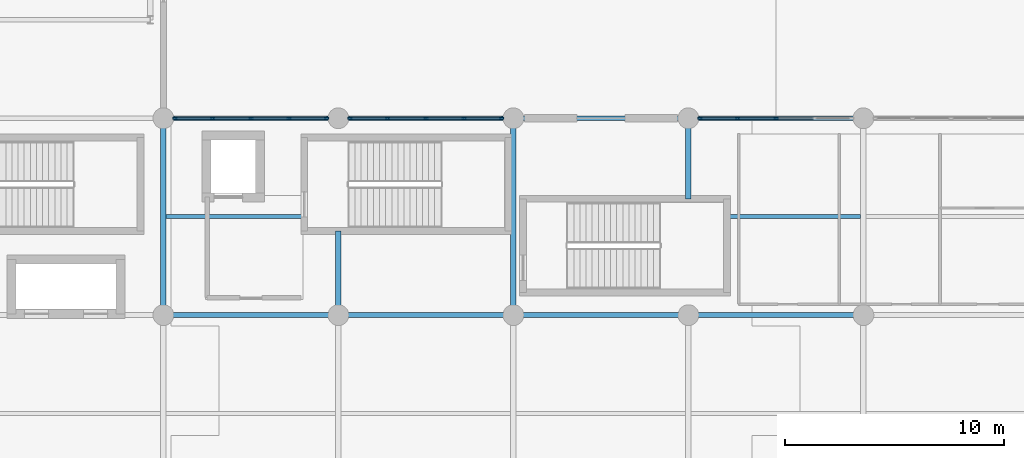
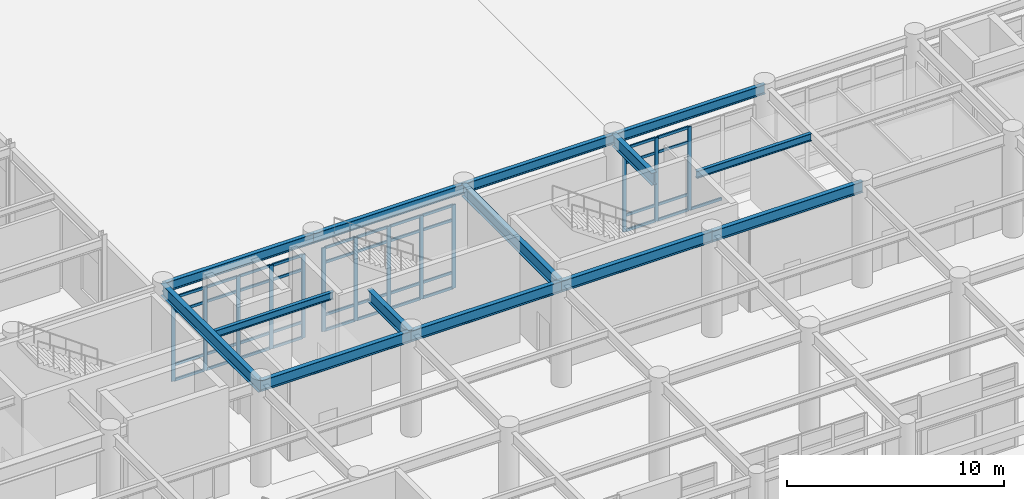
# One storey, part 10 of 49: 54 members, 14 beams, 3 elements without a shape of their own.
"""IFC4 building model written with IfcOpenShell, lengths in metres."""

from ifc_helpers import new_model, si_unit, direction, frame, origin, origin_2d, place, context, subcontext, project, spatial, rectangle, i_section, extrude, material, layer, layer_set, material_profile, profile_set, type_object, element, aggregate, save


model = new_model("IFC4")

# Units and contexts
model_context = context("Model", 3, precision=1e-05, world=origin(), true_north=direction((0.0, 1.0)))
body_context = subcontext(model_context, "Body", "Model", "MODEL_VIEW")
ifc_project = project(units=[si_unit("LENGTHUNIT", "METRE"), si_unit("AREAUNIT", "SQUARE_METRE"), si_unit("VOLUMEUNIT", "CUBIC_METRE"), si_unit("PLANEANGLEUNIT", "RADIAN"), si_unit("MASSUNIT", "GRAM", prefix="KILO")], contexts=[model_context])

# Site, building, storey
site_placement = place(None, origin())
site = spatial("IfcSite", under=ifc_project, at=site_placement, CompositionType="ELEMENT")
building_placement = place(site_placement, origin())
building = spatial("IfcBuilding", under=site, at=building_placement, Name="Tlacozan Convention Centre", CompositionType="ELEMENT")
storey_placement = place(building_placement, origin())
storey = spatial("IfcBuildingStorey", under=building, at=storey_placement, Name="L00", CompositionType="ELEMENT", Elevation=0.0)

# Curtain wall, members
ifc_material_1 = material(Name="Dark Bronze Anodised Aluminium", Category="aluminium")
ifc_layer = layer(ifc_material_1, 0.199951171875)
ifc_layer_set = layer_set([ifc_layer], Name="Dark Bronze Anodised Aluminium")
curtain_wall_type = type_object("IfcCurtainWallType", Name="Unitised Courtyard Cloister L00 CW07", PredefinedType="NOTDEFINED", material=ifc_layer_set)
curtain_wall_1_placement = place(storey_placement, origin())
curtain_wall_1 = element("IfcCurtainWall", 1, at=curtain_wall_1_placement, inside=storey, type_object=curtain_wall_type, Name="L00 CW-07 Run 50", PredefinedType="NOTDEFINED")
ifc_material_profile_1 = material_profile(ifc_material_1, rectangle(XDim=0.074951171875, YDim=0.199951171875, at=origin_2d()), Name="ALU 75x200")
ifc_profile_set_1 = profile_set([ifc_material_profile_1], Name="Dark Bronze Anodised Aluminium")
member_type_1 = type_object("IfcMemberType", Name="Curtain Wall Heavy Mullion 75x200", PredefinedType="MULLION", material=ifc_profile_set_1)
member_1_placement = place(storey_placement, frame((32.53759765625, 27.0, 0.0), z_axis=(0.0, 0.0, 1.0), x_axis=(0.0, 1.0, 0.0)))
member_1 = element("IfcMember", 2, at=member_1_placement, type_object=member_type_1, Name="CW-07 mullion 1", PredefinedType="MULLION", context=body_context, shape_type="SweptSolid", body=[
    extrude(rectangle(XDim=0.074951171875, YDim=0.199951171875, at=origin_2d()), origin(), (0.0, 0.0, 1.0), 4.699951171875),
])
member_2_placement = place(storey_placement, frame((34.25, 27.0, 0.0), z_axis=(0.0, 0.0, 1.0), x_axis=(0.0, 1.0, 0.0)))
member_2 = element("IfcMember", 3, at=member_2_placement, type_object=member_type_1, Name="CW-07 mullion 2", PredefinedType="MULLION", context=body_context, shape_type="SweptSolid", body=[
    extrude(rectangle(XDim=0.074951171875, YDim=0.199951171875, at=origin_2d()), origin(), (0.0, 0.0, 1.0), 4.699951171875),
])
member_3_placement = place(storey_placement, frame((36.0, 27.0, 0.0), z_axis=(0.0, 0.0, 1.0), x_axis=(0.0, 1.0, 0.0)))
member_3 = element("IfcMember", 4, at=member_3_placement, type_object=member_type_1, Name="CW-07 mullion 3", PredefinedType="MULLION", context=body_context, shape_type="SweptSolid", body=[
    extrude(rectangle(XDim=0.074951171875, YDim=0.199951171875, at=origin_2d()), origin(), (0.0, 0.0, 1.0), 4.699951171875),
])
member_4_placement = place(storey_placement, frame((37.75, 27.0, 0.0), z_axis=(0.0, 0.0, 1.0), x_axis=(0.0, 1.0, 0.0)))
member_4 = element("IfcMember", 5, at=member_4_placement, type_object=member_type_1, Name="CW-07 mullion 4", PredefinedType="MULLION", context=body_context, shape_type="SweptSolid", body=[
    extrude(rectangle(XDim=0.074951171875, YDim=0.199951171875, at=origin_2d()), origin(), (0.0, 0.0, 1.0), 4.699951171875),
])
member_5_placement = place(storey_placement, frame((39.46240234375, 27.0, 0.0), z_axis=(0.0, 0.0, 1.0), x_axis=(0.0, 1.0, 0.0)))
member_5 = element("IfcMember", 6, at=member_5_placement, type_object=member_type_1, Name="CW-07 mullion 5", PredefinedType="MULLION", context=body_context, shape_type="SweptSolid", body=[
    extrude(rectangle(XDim=0.074951171875, YDim=0.199951171875, at=origin_2d()), origin(), (0.0, 0.0, 1.0), 4.699951171875),
])

curtain_wall_2_placement = place(storey_placement, origin())
curtain_wall_2 = element("IfcCurtainWall", 7, at=curtain_wall_2_placement, inside=storey, type_object=curtain_wall_type, Name="L00 CW-07 Run 51", PredefinedType="NOTDEFINED")
member_6_placement = place(storey_placement, frame((40.53759765625, 27.0, 0.0), z_axis=(0.0, 0.0, 1.0), x_axis=(0.0, 1.0, 0.0)))
member_6 = element("IfcMember", 8, at=member_6_placement, type_object=member_type_1, Name="CW-07 mullion 1", PredefinedType="MULLION", context=body_context, shape_type="SweptSolid", body=[
    extrude(rectangle(XDim=0.074951171875, YDim=0.199951171875, at=origin_2d()), origin(), (0.0, 0.0, 1.0), 4.699951171875),
])
member_7_placement = place(storey_placement, frame((42.25, 27.0, 0.0), z_axis=(0.0, 0.0, 1.0), x_axis=(0.0, 1.0, 0.0)))
member_7 = element("IfcMember", 9, at=member_7_placement, type_object=member_type_1, Name="CW-07 mullion 2", PredefinedType="MULLION", context=body_context, shape_type="SweptSolid", body=[
    extrude(rectangle(XDim=0.074951171875, YDim=0.199951171875, at=origin_2d()), origin(), (0.0, 0.0, 1.0), 4.699951171875),
])
member_8_placement = place(storey_placement, frame((44.0, 27.0, 0.0), z_axis=(0.0, 0.0, 1.0), x_axis=(0.0, 1.0, 0.0)))
member_8 = element("IfcMember", 10, at=member_8_placement, type_object=member_type_1, Name="CW-07 mullion 3", PredefinedType="MULLION", context=body_context, shape_type="SweptSolid", body=[
    extrude(rectangle(XDim=0.074951171875, YDim=0.199951171875, at=origin_2d()), origin(), (0.0, 0.0, 1.0), 4.699951171875),
])
member_9_placement = place(storey_placement, frame((45.75, 27.0, 0.0), z_axis=(0.0, 0.0, 1.0), x_axis=(0.0, 1.0, 0.0)))
member_9 = element("IfcMember", 11, at=member_9_placement, type_object=member_type_1, Name="CW-07 mullion 4", PredefinedType="MULLION", context=body_context, shape_type="SweptSolid", body=[
    extrude(rectangle(XDim=0.074951171875, YDim=0.199951171875, at=origin_2d()), origin(), (0.0, 0.0, 1.0), 4.699951171875),
])
member_10_placement = place(storey_placement, frame((47.46240234375, 27.0, 0.0), z_axis=(0.0, 0.0, 1.0), x_axis=(0.0, 1.0, 0.0)))
member_10 = element("IfcMember", 12, at=member_10_placement, type_object=member_type_1, Name="CW-07 mullion 5", PredefinedType="MULLION", context=body_context, shape_type="SweptSolid", body=[
    extrude(rectangle(XDim=0.074951171875, YDim=0.199951171875, at=origin_2d()), origin(), (0.0, 0.0, 1.0), 4.699951171875),
])

curtain_wall_3_placement = place(storey_placement, origin())
curtain_wall_3 = element("IfcCurtainWall", 13, at=curtain_wall_3_placement, inside=storey, type_object=curtain_wall_type, Name="L00 CW-07 Run 52", PredefinedType="NOTDEFINED")
member_11_placement = place(storey_placement, frame((56.53759765625, 27.0, 0.0), z_axis=(0.0, 0.0, 1.0), x_axis=(0.0, 1.0, 0.0)))
member_11 = element("IfcMember", 14, at=member_11_placement, type_object=member_type_1, Name="CW-07 mullion 1", PredefinedType="MULLION", context=body_context, shape_type="SweptSolid", body=[
    extrude(rectangle(XDim=0.074951171875, YDim=0.199951171875, at=origin_2d()), origin(), (0.0, 0.0, 1.0), 4.699951171875),
])
member_12_placement = place(storey_placement, frame((58.25, 27.0, 0.0), z_axis=(0.0, 0.0, 1.0), x_axis=(0.0, 1.0, 0.0)))
member_12 = element("IfcMember", 15, at=member_12_placement, type_object=member_type_1, Name="CW-07 mullion 2", PredefinedType="MULLION", context=body_context, shape_type="SweptSolid", body=[
    extrude(rectangle(XDim=0.074951171875, YDim=0.199951171875, at=origin_2d()), origin(), (0.0, 0.0, 1.0), 4.699951171875),
])
member_13_placement = place(storey_placement, frame((60.0, 27.0, 0.0), z_axis=(0.0, 0.0, 1.0), x_axis=(0.0, 1.0, 0.0)))
member_13 = element("IfcMember", 16, at=member_13_placement, type_object=member_type_1, Name="CW-07 mullion 3", PredefinedType="MULLION", context=body_context, shape_type="SweptSolid", body=[
    extrude(rectangle(XDim=0.074951171875, YDim=0.199951171875, at=origin_2d()), origin(), (0.0, 0.0, 1.0), 4.699951171875),
])

# Member
ifc_material_profile_2 = material_profile(ifc_material_1, rectangle(XDim=0.074951171875, YDim=0.14990234375, at=origin_2d()), Name="ALU 75x150")
ifc_profile_set_2 = profile_set([ifc_material_profile_2], Name="Dark Bronze Anodised Aluminium")
member_type_2 = type_object("IfcMemberType", Name="Curtain Wall Heavy Transom 75x150", PredefinedType="USERDEFINED", material=ifc_profile_set_2)
member_14_placement = place(storey_placement, frame((32.574951171875, 27.0, 0.03759765625), z_axis=(1.0, 0.0, 0.0), x_axis=(0.0, 1.0, 0.0)))
member_14 = element("IfcMember", 17, at=member_14_placement, type_object=member_type_2, Name="CW-07 transom 1.1", ObjectType="TRANSOM", PredefinedType="USERDEFINED", context=body_context, shape_type="SweptSolid", body=[
    extrude(rectangle(XDim=0.074951171875, YDim=0.14990234375, at=origin_2d()), origin(), (0.0, 0.0, 1.0), 1.637451171875),
])

member_15_placement = place(storey_placement, frame((32.574951171875, 27.0, 0.89990234375), z_axis=(1.0, 0.0, 0.0), x_axis=(0.0, 1.0, 0.0)))
member_15 = element("IfcMember", 18, at=member_15_placement, type_object=member_type_2, Name="CW-07 transom 1.2", ObjectType="TRANSOM", PredefinedType="USERDEFINED", context=body_context, shape_type="SweptSolid", body=[
    extrude(rectangle(XDim=0.074951171875, YDim=0.14990234375, at=origin_2d()), origin(), (0.0, 0.0, 1.0), 1.637451171875),
])

member_16_placement = place(storey_placement, frame((32.574951171875, 27.0, 3.85009765625), z_axis=(1.0, 0.0, 0.0), x_axis=(0.0, 1.0, 0.0)))
member_16 = element("IfcMember", 19, at=member_16_placement, type_object=member_type_2, Name="CW-07 transom 1.3", ObjectType="TRANSOM", PredefinedType="USERDEFINED", context=body_context, shape_type="SweptSolid", body=[
    extrude(rectangle(XDim=0.074951171875, YDim=0.14990234375, at=origin_2d()), origin(), (0.0, 0.0, 1.0), 1.637451171875),
])

member_17_placement = place(storey_placement, frame((32.574951171875, 27.0, 4.66259765625), z_axis=(1.0, 0.0, 0.0), x_axis=(0.0, 1.0, 0.0)))
member_17 = element("IfcMember", 20, at=member_17_placement, type_object=member_type_2, Name="CW-07 transom 1.4", ObjectType="TRANSOM", PredefinedType="USERDEFINED", context=body_context, shape_type="SweptSolid", body=[
    extrude(rectangle(XDim=0.074951171875, YDim=0.14990234375, at=origin_2d()), origin(), (0.0, 0.0, 1.0), 1.637451171875),
])

member_18_placement = place(storey_placement, frame((34.28759765625, 27.0, 0.03759765625), z_axis=(1.0, 0.0, 0.0), x_axis=(0.0, 1.0, 0.0)))
member_18 = element("IfcMember", 21, at=member_18_placement, type_object=member_type_2, Name="CW-07 transom 2.1", ObjectType="TRANSOM", PredefinedType="USERDEFINED", context=body_context, shape_type="SweptSolid", body=[
    extrude(rectangle(XDim=0.074951171875, YDim=0.14990234375, at=origin_2d()), origin(), (0.0, 0.0, 1.0), 1.6748046875),
])

member_19_placement = place(storey_placement, frame((34.28759765625, 27.0, 0.89990234375), z_axis=(1.0, 0.0, 0.0), x_axis=(0.0, 1.0, 0.0)))
member_19 = element("IfcMember", 22, at=member_19_placement, type_object=member_type_2, Name="CW-07 transom 2.2", ObjectType="TRANSOM", PredefinedType="USERDEFINED", context=body_context, shape_type="SweptSolid", body=[
    extrude(rectangle(XDim=0.074951171875, YDim=0.14990234375, at=origin_2d()), origin(), (0.0, 0.0, 1.0), 1.6748046875),
])

member_20_placement = place(storey_placement, frame((34.28759765625, 27.0, 3.85009765625), z_axis=(1.0, 0.0, 0.0), x_axis=(0.0, 1.0, 0.0)))
member_20 = element("IfcMember", 23, at=member_20_placement, type_object=member_type_2, Name="CW-07 transom 2.3", ObjectType="TRANSOM", PredefinedType="USERDEFINED", context=body_context, shape_type="SweptSolid", body=[
    extrude(rectangle(XDim=0.074951171875, YDim=0.14990234375, at=origin_2d()), origin(), (0.0, 0.0, 1.0), 1.6748046875),
])

member_21_placement = place(storey_placement, frame((34.28759765625, 27.0, 4.66259765625), z_axis=(1.0, 0.0, 0.0), x_axis=(0.0, 1.0, 0.0)))
member_21 = element("IfcMember", 24, at=member_21_placement, type_object=member_type_2, Name="CW-07 transom 2.4", ObjectType="TRANSOM", PredefinedType="USERDEFINED", context=body_context, shape_type="SweptSolid", body=[
    extrude(rectangle(XDim=0.074951171875, YDim=0.14990234375, at=origin_2d()), origin(), (0.0, 0.0, 1.0), 1.6748046875),
])

member_22_placement = place(storey_placement, frame((36.03759765625, 27.0, 0.03759765625), z_axis=(1.0, 0.0, 0.0), x_axis=(0.0, 1.0, 0.0)))
member_22 = element("IfcMember", 25, at=member_22_placement, type_object=member_type_2, Name="CW-07 transom 3.1", ObjectType="TRANSOM", PredefinedType="USERDEFINED", context=body_context, shape_type="SweptSolid", body=[
    extrude(rectangle(XDim=0.074951171875, YDim=0.14990234375, at=origin_2d()), origin(), (0.0, 0.0, 1.0), 1.6748046875),
])

member_23_placement = place(storey_placement, frame((36.03759765625, 27.0, 0.89990234375), z_axis=(1.0, 0.0, 0.0), x_axis=(0.0, 1.0, 0.0)))
member_23 = element("IfcMember", 26, at=member_23_placement, type_object=member_type_2, Name="CW-07 transom 3.2", ObjectType="TRANSOM", PredefinedType="USERDEFINED", context=body_context, shape_type="SweptSolid", body=[
    extrude(rectangle(XDim=0.074951171875, YDim=0.14990234375, at=origin_2d()), origin(), (0.0, 0.0, 1.0), 1.6748046875),
])

member_24_placement = place(storey_placement, frame((36.03759765625, 27.0, 3.85009765625), z_axis=(1.0, 0.0, 0.0), x_axis=(0.0, 1.0, 0.0)))
member_24 = element("IfcMember", 27, at=member_24_placement, type_object=member_type_2, Name="CW-07 transom 3.3", ObjectType="TRANSOM", PredefinedType="USERDEFINED", context=body_context, shape_type="SweptSolid", body=[
    extrude(rectangle(XDim=0.074951171875, YDim=0.14990234375, at=origin_2d()), origin(), (0.0, 0.0, 1.0), 1.6748046875),
])

member_25_placement = place(storey_placement, frame((36.03759765625, 27.0, 4.66259765625), z_axis=(1.0, 0.0, 0.0), x_axis=(0.0, 1.0, 0.0)))
member_25 = element("IfcMember", 28, at=member_25_placement, type_object=member_type_2, Name="CW-07 transom 3.4", ObjectType="TRANSOM", PredefinedType="USERDEFINED", context=body_context, shape_type="SweptSolid", body=[
    extrude(rectangle(XDim=0.074951171875, YDim=0.14990234375, at=origin_2d()), origin(), (0.0, 0.0, 1.0), 1.6748046875),
])

member_26_placement = place(storey_placement, frame((37.78759765625, 27.0, 0.03759765625), z_axis=(1.0, 0.0, 0.0), x_axis=(0.0, 1.0, 0.0)))
member_26 = element("IfcMember", 29, at=member_26_placement, type_object=member_type_2, Name="CW-07 transom 4.1", ObjectType="TRANSOM", PredefinedType="USERDEFINED", context=body_context, shape_type="SweptSolid", body=[
    extrude(rectangle(XDim=0.074951171875, YDim=0.14990234375, at=origin_2d()), origin(), (0.0, 0.0, 1.0), 1.637451171875),
])

member_27_placement = place(storey_placement, frame((37.78759765625, 27.0, 0.89990234375), z_axis=(1.0, 0.0, 0.0), x_axis=(0.0, 1.0, 0.0)))
member_27 = element("IfcMember", 30, at=member_27_placement, type_object=member_type_2, Name="CW-07 transom 4.2", ObjectType="TRANSOM", PredefinedType="USERDEFINED", context=body_context, shape_type="SweptSolid", body=[
    extrude(rectangle(XDim=0.074951171875, YDim=0.14990234375, at=origin_2d()), origin(), (0.0, 0.0, 1.0), 1.637451171875),
])

member_28_placement = place(storey_placement, frame((37.78759765625, 27.0, 3.85009765625), z_axis=(1.0, 0.0, 0.0), x_axis=(0.0, 1.0, 0.0)))
member_28 = element("IfcMember", 31, at=member_28_placement, type_object=member_type_2, Name="CW-07 transom 4.3", ObjectType="TRANSOM", PredefinedType="USERDEFINED", context=body_context, shape_type="SweptSolid", body=[
    extrude(rectangle(XDim=0.074951171875, YDim=0.14990234375, at=origin_2d()), origin(), (0.0, 0.0, 1.0), 1.637451171875),
])

member_29_placement = place(storey_placement, frame((37.78759765625, 27.0, 4.66259765625), z_axis=(1.0, 0.0, 0.0), x_axis=(0.0, 1.0, 0.0)))
member_29 = element("IfcMember", 32, at=member_29_placement, type_object=member_type_2, Name="CW-07 transom 4.4", ObjectType="TRANSOM", PredefinedType="USERDEFINED", context=body_context, shape_type="SweptSolid", body=[
    extrude(rectangle(XDim=0.074951171875, YDim=0.14990234375, at=origin_2d()), origin(), (0.0, 0.0, 1.0), 1.637451171875),
])

aggregate(curtain_wall_1, [member_1, member_2, member_3, member_4, member_5, member_14, member_15, member_16, member_17, member_18, member_19, member_20, member_21, member_22, member_23, member_24, member_25, member_26, member_27, member_28, member_29])

member_30_placement = place(storey_placement, frame((40.574951171875, 27.0, 0.03759765625), z_axis=(1.0, 0.0, 0.0), x_axis=(0.0, 1.0, 0.0)))
member_30 = element("IfcMember", 33, at=member_30_placement, type_object=member_type_2, Name="CW-07 transom 1.1", ObjectType="TRANSOM", PredefinedType="USERDEFINED", context=body_context, shape_type="SweptSolid", body=[
    extrude(rectangle(XDim=0.074951171875, YDim=0.14990234375, at=origin_2d()), origin(), (0.0, 0.0, 1.0), 1.637451171875),
])

member_31_placement = place(storey_placement, frame((40.574951171875, 27.0, 0.89990234375), z_axis=(1.0, 0.0, 0.0), x_axis=(0.0, 1.0, 0.0)))
member_31 = element("IfcMember", 34, at=member_31_placement, type_object=member_type_2, Name="CW-07 transom 1.2", ObjectType="TRANSOM", PredefinedType="USERDEFINED", context=body_context, shape_type="SweptSolid", body=[
    extrude(rectangle(XDim=0.074951171875, YDim=0.14990234375, at=origin_2d()), origin(), (0.0, 0.0, 1.0), 1.637451171875),
])

member_32_placement = place(storey_placement, frame((40.574951171875, 27.0, 3.85009765625), z_axis=(1.0, 0.0, 0.0), x_axis=(0.0, 1.0, 0.0)))
member_32 = element("IfcMember", 35, at=member_32_placement, type_object=member_type_2, Name="CW-07 transom 1.3", ObjectType="TRANSOM", PredefinedType="USERDEFINED", context=body_context, shape_type="SweptSolid", body=[
    extrude(rectangle(XDim=0.074951171875, YDim=0.14990234375, at=origin_2d()), origin(), (0.0, 0.0, 1.0), 1.637451171875),
])

member_33_placement = place(storey_placement, frame((40.574951171875, 27.0, 4.66259765625), z_axis=(1.0, 0.0, 0.0), x_axis=(0.0, 1.0, 0.0)))
member_33 = element("IfcMember", 36, at=member_33_placement, type_object=member_type_2, Name="CW-07 transom 1.4", ObjectType="TRANSOM", PredefinedType="USERDEFINED", context=body_context, shape_type="SweptSolid", body=[
    extrude(rectangle(XDim=0.074951171875, YDim=0.14990234375, at=origin_2d()), origin(), (0.0, 0.0, 1.0), 1.637451171875),
])

member_34_placement = place(storey_placement, frame((42.28759765625, 27.0, 0.03759765625), z_axis=(1.0, 0.0, 0.0), x_axis=(0.0, 1.0, 0.0)))
member_34 = element("IfcMember", 37, at=member_34_placement, type_object=member_type_2, Name="CW-07 transom 2.1", ObjectType="TRANSOM", PredefinedType="USERDEFINED", context=body_context, shape_type="SweptSolid", body=[
    extrude(rectangle(XDim=0.074951171875, YDim=0.14990234375, at=origin_2d()), origin(), (0.0, 0.0, 1.0), 1.6748046875),
])

member_35_placement = place(storey_placement, frame((42.28759765625, 27.0, 0.89990234375), z_axis=(1.0, 0.0, 0.0), x_axis=(0.0, 1.0, 0.0)))
member_35 = element("IfcMember", 38, at=member_35_placement, type_object=member_type_2, Name="CW-07 transom 2.2", ObjectType="TRANSOM", PredefinedType="USERDEFINED", context=body_context, shape_type="SweptSolid", body=[
    extrude(rectangle(XDim=0.074951171875, YDim=0.14990234375, at=origin_2d()), origin(), (0.0, 0.0, 1.0), 1.6748046875),
])

member_36_placement = place(storey_placement, frame((42.28759765625, 27.0, 3.85009765625), z_axis=(1.0, 0.0, 0.0), x_axis=(0.0, 1.0, 0.0)))
member_36 = element("IfcMember", 39, at=member_36_placement, type_object=member_type_2, Name="CW-07 transom 2.3", ObjectType="TRANSOM", PredefinedType="USERDEFINED", context=body_context, shape_type="SweptSolid", body=[
    extrude(rectangle(XDim=0.074951171875, YDim=0.14990234375, at=origin_2d()), origin(), (0.0, 0.0, 1.0), 1.6748046875),
])

member_37_placement = place(storey_placement, frame((42.28759765625, 27.0, 4.66259765625), z_axis=(1.0, 0.0, 0.0), x_axis=(0.0, 1.0, 0.0)))
member_37 = element("IfcMember", 40, at=member_37_placement, type_object=member_type_2, Name="CW-07 transom 2.4", ObjectType="TRANSOM", PredefinedType="USERDEFINED", context=body_context, shape_type="SweptSolid", body=[
    extrude(rectangle(XDim=0.074951171875, YDim=0.14990234375, at=origin_2d()), origin(), (0.0, 0.0, 1.0), 1.6748046875),
])

member_38_placement = place(storey_placement, frame((44.03759765625, 27.0, 0.03759765625), z_axis=(1.0, 0.0, 0.0), x_axis=(0.0, 1.0, 0.0)))
member_38 = element("IfcMember", 41, at=member_38_placement, type_object=member_type_2, Name="CW-07 transom 3.1", ObjectType="TRANSOM", PredefinedType="USERDEFINED", context=body_context, shape_type="SweptSolid", body=[
    extrude(rectangle(XDim=0.074951171875, YDim=0.14990234375, at=origin_2d()), origin(), (0.0, 0.0, 1.0), 1.6748046875),
])

member_39_placement = place(storey_placement, frame((44.03759765625, 27.0, 0.89990234375), z_axis=(1.0, 0.0, 0.0), x_axis=(0.0, 1.0, 0.0)))
member_39 = element("IfcMember", 42, at=member_39_placement, type_object=member_type_2, Name="CW-07 transom 3.2", ObjectType="TRANSOM", PredefinedType="USERDEFINED", context=body_context, shape_type="SweptSolid", body=[
    extrude(rectangle(XDim=0.074951171875, YDim=0.14990234375, at=origin_2d()), origin(), (0.0, 0.0, 1.0), 1.6748046875),
])

member_40_placement = place(storey_placement, frame((44.03759765625, 27.0, 3.85009765625), z_axis=(1.0, 0.0, 0.0), x_axis=(0.0, 1.0, 0.0)))
member_40 = element("IfcMember", 43, at=member_40_placement, type_object=member_type_2, Name="CW-07 transom 3.3", ObjectType="TRANSOM", PredefinedType="USERDEFINED", context=body_context, shape_type="SweptSolid", body=[
    extrude(rectangle(XDim=0.074951171875, YDim=0.14990234375, at=origin_2d()), origin(), (0.0, 0.0, 1.0), 1.6748046875),
])

member_41_placement = place(storey_placement, frame((44.03759765625, 27.0, 4.66259765625), z_axis=(1.0, 0.0, 0.0), x_axis=(0.0, 1.0, 0.0)))
member_41 = element("IfcMember", 44, at=member_41_placement, type_object=member_type_2, Name="CW-07 transom 3.4", ObjectType="TRANSOM", PredefinedType="USERDEFINED", context=body_context, shape_type="SweptSolid", body=[
    extrude(rectangle(XDim=0.074951171875, YDim=0.14990234375, at=origin_2d()), origin(), (0.0, 0.0, 1.0), 1.6748046875),
])

member_42_placement = place(storey_placement, frame((45.78759765625, 27.0, 0.03759765625), z_axis=(1.0, 0.0, 0.0), x_axis=(0.0, 1.0, 0.0)))
member_42 = element("IfcMember", 45, at=member_42_placement, type_object=member_type_2, Name="CW-07 transom 4.1", ObjectType="TRANSOM", PredefinedType="USERDEFINED", context=body_context, shape_type="SweptSolid", body=[
    extrude(rectangle(XDim=0.074951171875, YDim=0.14990234375, at=origin_2d()), origin(), (0.0, 0.0, 1.0), 1.637451171875),
])

member_43_placement = place(storey_placement, frame((45.78759765625, 27.0, 0.89990234375), z_axis=(1.0, 0.0, 0.0), x_axis=(0.0, 1.0, 0.0)))
member_43 = element("IfcMember", 46, at=member_43_placement, type_object=member_type_2, Name="CW-07 transom 4.2", ObjectType="TRANSOM", PredefinedType="USERDEFINED", context=body_context, shape_type="SweptSolid", body=[
    extrude(rectangle(XDim=0.074951171875, YDim=0.14990234375, at=origin_2d()), origin(), (0.0, 0.0, 1.0), 1.637451171875),
])

member_44_placement = place(storey_placement, frame((45.78759765625, 27.0, 3.85009765625), z_axis=(1.0, 0.0, 0.0), x_axis=(0.0, 1.0, 0.0)))
member_44 = element("IfcMember", 47, at=member_44_placement, type_object=member_type_2, Name="CW-07 transom 4.3", ObjectType="TRANSOM", PredefinedType="USERDEFINED", context=body_context, shape_type="SweptSolid", body=[
    extrude(rectangle(XDim=0.074951171875, YDim=0.14990234375, at=origin_2d()), origin(), (0.0, 0.0, 1.0), 1.637451171875),
])

member_45_placement = place(storey_placement, frame((45.78759765625, 27.0, 4.66259765625), z_axis=(1.0, 0.0, 0.0), x_axis=(0.0, 1.0, 0.0)))
member_45 = element("IfcMember", 48, at=member_45_placement, type_object=member_type_2, Name="CW-07 transom 4.4", ObjectType="TRANSOM", PredefinedType="USERDEFINED", context=body_context, shape_type="SweptSolid", body=[
    extrude(rectangle(XDim=0.074951171875, YDim=0.14990234375, at=origin_2d()), origin(), (0.0, 0.0, 1.0), 1.637451171875),
])

aggregate(curtain_wall_2, [member_6, member_7, member_8, member_9, member_10, member_30, member_31, member_32, member_33, member_34, member_35, member_36, member_37, member_38, member_39, member_40, member_41, member_42, member_43, member_44, member_45])

member_46_placement = place(storey_placement, frame((56.574951171875, 27.0, 0.03759765625), z_axis=(1.0, 0.0, 0.0), x_axis=(0.0, 1.0, 0.0)))
member_46 = element("IfcMember", 49, at=member_46_placement, type_object=member_type_2, Name="CW-07 transom 1.1", ObjectType="TRANSOM", PredefinedType="USERDEFINED", context=body_context, shape_type="SweptSolid", body=[
    extrude(rectangle(XDim=0.074951171875, YDim=0.14990234375, at=origin_2d()), origin(), (0.0, 0.0, 1.0), 1.637451171875),
])

member_47_placement = place(storey_placement, frame((56.574951171875, 27.0, 0.89990234375), z_axis=(1.0, 0.0, 0.0), x_axis=(0.0, 1.0, 0.0)))
member_47 = element("IfcMember", 50, at=member_47_placement, type_object=member_type_2, Name="CW-07 transom 1.2", ObjectType="TRANSOM", PredefinedType="USERDEFINED", context=body_context, shape_type="SweptSolid", body=[
    extrude(rectangle(XDim=0.074951171875, YDim=0.14990234375, at=origin_2d()), origin(), (0.0, 0.0, 1.0), 1.637451171875),
])

member_48_placement = place(storey_placement, frame((56.574951171875, 27.0, 3.85009765625), z_axis=(1.0, 0.0, 0.0), x_axis=(0.0, 1.0, 0.0)))
member_48 = element("IfcMember", 51, at=member_48_placement, type_object=member_type_2, Name="CW-07 transom 1.3", ObjectType="TRANSOM", PredefinedType="USERDEFINED", context=body_context, shape_type="SweptSolid", body=[
    extrude(rectangle(XDim=0.074951171875, YDim=0.14990234375, at=origin_2d()), origin(), (0.0, 0.0, 1.0), 1.637451171875),
])

member_49_placement = place(storey_placement, frame((56.574951171875, 27.0, 4.66259765625), z_axis=(1.0, 0.0, 0.0), x_axis=(0.0, 1.0, 0.0)))
member_49 = element("IfcMember", 52, at=member_49_placement, type_object=member_type_2, Name="CW-07 transom 1.4", ObjectType="TRANSOM", PredefinedType="USERDEFINED", context=body_context, shape_type="SweptSolid", body=[
    extrude(rectangle(XDim=0.074951171875, YDim=0.14990234375, at=origin_2d()), origin(), (0.0, 0.0, 1.0), 1.637451171875),
])

member_50_placement = place(storey_placement, frame((58.28759765625, 27.0, 0.03759765625), z_axis=(1.0, 0.0, 0.0), x_axis=(0.0, 1.0, 0.0)))
member_50 = element("IfcMember", 53, at=member_50_placement, type_object=member_type_2, Name="CW-07 transom 2.1", ObjectType="TRANSOM", PredefinedType="USERDEFINED", context=body_context, shape_type="SweptSolid", body=[
    extrude(rectangle(XDim=0.074951171875, YDim=0.14990234375, at=origin_2d()), origin(), (0.0, 0.0, 1.0), 1.6748046875),
])

member_51_placement = place(storey_placement, frame((58.28759765625, 27.0, 0.89990234375), z_axis=(1.0, 0.0, 0.0), x_axis=(0.0, 1.0, 0.0)))
member_51 = element("IfcMember", 54, at=member_51_placement, type_object=member_type_2, Name="CW-07 transom 2.2", ObjectType="TRANSOM", PredefinedType="USERDEFINED", context=body_context, shape_type="SweptSolid", body=[
    extrude(rectangle(XDim=0.074951171875, YDim=0.14990234375, at=origin_2d()), origin(), (0.0, 0.0, 1.0), 1.6748046875),
])

member_52_placement = place(storey_placement, frame((58.28759765625, 27.0, 3.85009765625), z_axis=(1.0, 0.0, 0.0), x_axis=(0.0, 1.0, 0.0)))
member_52 = element("IfcMember", 55, at=member_52_placement, type_object=member_type_2, Name="CW-07 transom 2.3", ObjectType="TRANSOM", PredefinedType="USERDEFINED", context=body_context, shape_type="SweptSolid", body=[
    extrude(rectangle(XDim=0.074951171875, YDim=0.14990234375, at=origin_2d()), origin(), (0.0, 0.0, 1.0), 1.6748046875),
])

member_53_placement = place(storey_placement, frame((58.28759765625, 27.0, 4.66259765625), z_axis=(1.0, 0.0, 0.0), x_axis=(0.0, 1.0, 0.0)))
member_53 = element("IfcMember", 56, at=member_53_placement, type_object=member_type_2, Name="CW-07 transom 2.4", ObjectType="TRANSOM", PredefinedType="USERDEFINED", context=body_context, shape_type="SweptSolid", body=[
    extrude(rectangle(XDim=0.074951171875, YDim=0.14990234375, at=origin_2d()), origin(), (0.0, 0.0, 1.0), 1.6748046875),
])

member_54_placement = place(storey_placement, frame((60.03759765625, 27.0, 0.03759765625), z_axis=(1.0, 0.0, 0.0), x_axis=(0.0, 1.0, 0.0)))
member_54 = element("IfcMember", 57, at=member_54_placement, type_object=member_type_2, Name="CW-07 transom 3.1", ObjectType="TRANSOM", PredefinedType="USERDEFINED", context=body_context, shape_type="SweptSolid", body=[
    extrude(rectangle(XDim=0.074951171875, YDim=0.14990234375, at=origin_2d()), origin(), (0.0, 0.0, 1.0), 1.6748046875),
])

aggregate(curtain_wall_3, [member_11, member_12, member_13, member_46, member_47, member_48, member_49, member_50, member_51, member_52, member_53, member_54])

# Beams
ifc_material_2 = material(Name="Steel ASTM A992 Grade 50", Category="steel")
ifc_material_profile_3 = material_profile(ifc_material_2, i_section(OverallWidth=0.22900390625, OverallDepth=0.612060546875, WebThickness=0.011962890625, FlangeThickness=0.01953125, FilletRadius=0.012939453125, at=origin_2d()), Name="IR 610x125.0")
ifc_profile_set_3 = profile_set([ifc_material_profile_3], Name="Steel ASTM A992 Grade 50")
beam_type_1 = type_object("IfcBeamType", Name="Floor Beam IR 610x125", PredefinedType="BEAM", material=ifc_profile_set_3)
for number, where, z_axis, x_axis, name in (
    (58, (32.0, 18.0, 5.4140625), (1.0, 0.0, 0.0), (0.0, 1.0, 0.0), "L00 Floor Beam IR 610x125 196"),
    (59, (40.0, 18.0, 5.4140625), (1.0, 0.0, 0.0), (0.0, 1.0, 0.0), "L00 Floor Beam IR 610x125 200"),
    (60, (48.0, 18.0, 5.4140625), (1.0, 0.0, 0.0), (0.0, 1.0, 0.0), "L00 Floor Beam IR 610x125 204"),
    (61, (56.0, 18.0, 5.4140625), (1.0, 0.0, 0.0), (0.0, 1.0, 0.0), "L00 Floor Beam IR 610x125 208"),
):
    element("IfcBeam", number, at=place(storey_placement, frame(where, z_axis=z_axis, x_axis=x_axis)), inside=storey, type_object=beam_type_1, Name=name, PredefinedType="BEAM", context=body_context, shape_type="SweptSolid", body=[
        extrude(i_section(OverallWidth=0.22900390625, OverallDepth=0.612060546875, WebThickness=0.011962890625, FlangeThickness=0.01953125, FilletRadius=0.012939453125, at=origin_2d()), origin(), (0.0, 0.0, 1.0), 8.0),
    ])
ifc_material_profile_4 = material_profile(ifc_material_2, i_section(OverallWidth=0.256103515625, OverallDepth=0.693115234375, WebThickness=0.014404296875, FlangeThickness=0.023681640625, FilletRadius=0.014892578125, at=origin_2d()), Name="IR 686x170.0")
ifc_profile_set_4 = profile_set([ifc_material_profile_4], Name="Steel ASTM A992 Grade 50")
beam_type_2 = type_object("IfcBeamType", Name="Girder Steel IR 686x170", PredefinedType="BEAM", material=ifc_profile_set_4)
beam_1_placement = place(storey_placement, frame((32.0, 18.0, 5.37353515625), z_axis=(0.0, 1.0, 0.0), x_axis=(-1.0, 0.0, 0.0)))
element("IfcBeam", 62, at=beam_1_placement, inside=storey, type_object=beam_type_2, Name="L00 Girder Steel IR 686x170 137", PredefinedType="BEAM", context=body_context, shape_type="SweptSolid", body=[
    extrude(i_section(OverallWidth=0.256103515625, OverallDepth=0.693115234375, WebThickness=0.014404296875, FlangeThickness=0.023681640625, FilletRadius=0.014892578125, at=origin_2d()), origin(), (0.0, 0.0, 1.0), 9.0),
])
beam_2_placement = place(storey_placement, frame((40.0, 18.0, 5.37353515625), z_axis=(0.0, 1.0, 0.0), x_axis=(-1.0, 0.0, 0.0)))
element("IfcBeam", 63, at=beam_2_placement, inside=storey, type_object=beam_type_2, Name="L00 Girder Steel IR 686x170 140", PredefinedType="BEAM", context=body_context, shape_type="SweptSolid", body=[
    extrude(i_section(OverallWidth=0.256103515625, OverallDepth=0.693115234375, WebThickness=0.014404296875, FlangeThickness=0.023681640625, FilletRadius=0.014892578125, at=origin_2d()), origin(), (0.0, 0.0, 1.0), 3.840087890625),
])
beam_3_placement = place(storey_placement, frame((48.0, 18.0, 5.37353515625), z_axis=(0.0, 1.0, 0.0), x_axis=(-1.0, 0.0, 0.0)))
element("IfcBeam", 64, at=beam_3_placement, inside=storey, type_object=beam_type_2, Name="L00 Girder Steel IR 686x170 143", PredefinedType="BEAM", context=body_context, shape_type="SweptSolid", body=[
    extrude(i_section(OverallWidth=0.256103515625, OverallDepth=0.693115234375, WebThickness=0.014404296875, FlangeThickness=0.023681640625, FilletRadius=0.014892578125, at=origin_2d()), origin(), (0.0, 0.0, 1.0), 9.0),
])
beam_4_placement = place(storey_placement, frame((56.0, 23.320068359375, 5.37353515625), z_axis=(0.0, 1.0, 0.0), x_axis=(-1.0, 0.0, 0.0)))
element("IfcBeam", 65, at=beam_4_placement, inside=storey, type_object=beam_type_2, Name="L00 Girder Steel IR 686x170 146", PredefinedType="BEAM", context=body_context, shape_type="SweptSolid", body=[
    extrude(i_section(OverallWidth=0.256103515625, OverallDepth=0.693115234375, WebThickness=0.014404296875, FlangeThickness=0.023681640625, FilletRadius=0.014892578125, at=origin_2d()), origin(), (0.0, 0.0, 1.0), 3.679931640625),
])
ifc_material_profile_5 = material_profile(ifc_material_2, i_section(OverallWidth=0.2109375, OverallDepth=0.5390625, WebThickness=0.01171875, FlangeThickness=0.018798828125, FilletRadius=0.012939453125, at=origin_2d()), Name="IR 533x109.0")
ifc_profile_set_5 = profile_set([ifc_material_profile_5], Name="Steel ASTM A992 Grade 50")
beam_type_3 = type_object("IfcBeamType", Name="Perimeter Spandrel IR 533x109", PredefinedType="SPANDREL", material=ifc_profile_set_5)
for number, where, z_axis, x_axis, name in (
    (66, (32.0, 27.0, 5.450439453125), (1.0, 0.0, 0.0), (0.0, 1.0, 0.0), "L00 Perimeter Spandrel IR 533x109 197"),
    (67, (40.0, 27.0, 5.450439453125), (1.0, 0.0, 0.0), (0.0, 1.0, 0.0), "L00 Perimeter Spandrel IR 533x109 201"),
    (68, (48.0, 27.0, 5.450439453125), (1.0, 0.0, 0.0), (0.0, 1.0, 0.0), "L00 Perimeter Spandrel IR 533x109 205"),
    (69, (56.0, 27.0, 5.450439453125), (1.0, 0.0, 0.0), (0.0, 1.0, 0.0), "L00 Perimeter Spandrel IR 533x109 209"),
):
    element("IfcBeam", number, at=place(storey_placement, frame(where, z_axis=z_axis, x_axis=x_axis)), inside=storey, type_object=beam_type_3, Name=name, PredefinedType="SPANDREL", context=body_context, shape_type="SweptSolid", body=[
        extrude(i_section(OverallWidth=0.2109375, OverallDepth=0.5390625, WebThickness=0.01171875, FlangeThickness=0.018798828125, FilletRadius=0.012939453125, at=origin_2d()), origin(), (0.0, 0.0, 1.0), 8.0),
    ])
ifc_material_profile_6 = material_profile(ifc_material_2, i_section(OverallWidth=0.179931640625, OverallDepth=0.4130859375, WebThickness=0.009765625, FlangeThickness=0.01611328125, FilletRadius=0.010986328125, at=origin_2d()), Name="IR 406x74.4")
ifc_profile_set_6 = profile_set([ifc_material_profile_6], Name="Steel ASTM A992 Grade 50")
beam_type_4 = type_object("IfcBeamType", Name="Secondary Joist IR 406x74.4", PredefinedType="JOIST", material=ifc_profile_set_6)
beam_5_placement = place(storey_placement, frame((32.1259765625, 22.5, 5.513427734375), z_axis=(1.0, 0.0, 0.0), x_axis=(0.0, 1.0, 0.0)))
element("IfcBeam", 70, at=beam_5_placement, inside=storey, type_object=beam_type_4, Name="L00 Secondary Joist IR 406x74.4 237", PredefinedType="JOIST", context=body_context, shape_type="SweptSolid", body=[
    extrude(i_section(OverallWidth=0.179931640625, OverallDepth=0.4130859375, WebThickness=0.009765625, FlangeThickness=0.01611328125, FilletRadius=0.010986328125, at=origin_2d()), origin(), (0.0, 0.0, 1.0), 6.31396484375),
])
beam_6_placement = place(storey_placement, frame((57.760009765625, 22.5, 5.513427734375), z_axis=(1.0, 0.0, 0.0), x_axis=(0.0, 1.0, 0.0)))
element("IfcBeam", 71, at=beam_6_placement, inside=storey, type_object=beam_type_4, Name="L00 Secondary Joist IR 406x74.4 244", PredefinedType="JOIST", context=body_context, shape_type="SweptSolid", body=[
    extrude(i_section(OverallWidth=0.179931640625, OverallDepth=0.4130859375, WebThickness=0.009765625, FlangeThickness=0.01611328125, FilletRadius=0.010986328125, at=origin_2d()), origin(), (0.0, 0.0, 1.0), 6.114013671875),
])

save(model, "model.ifc")
